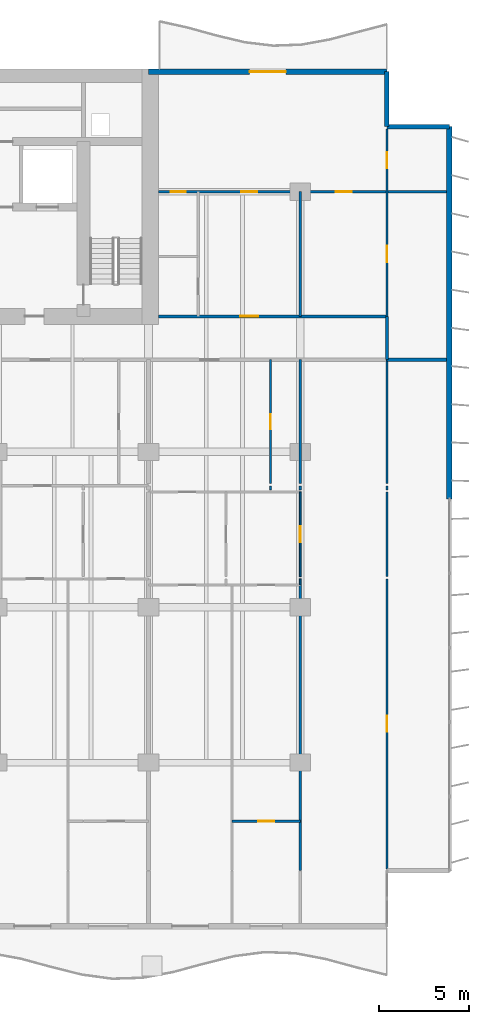
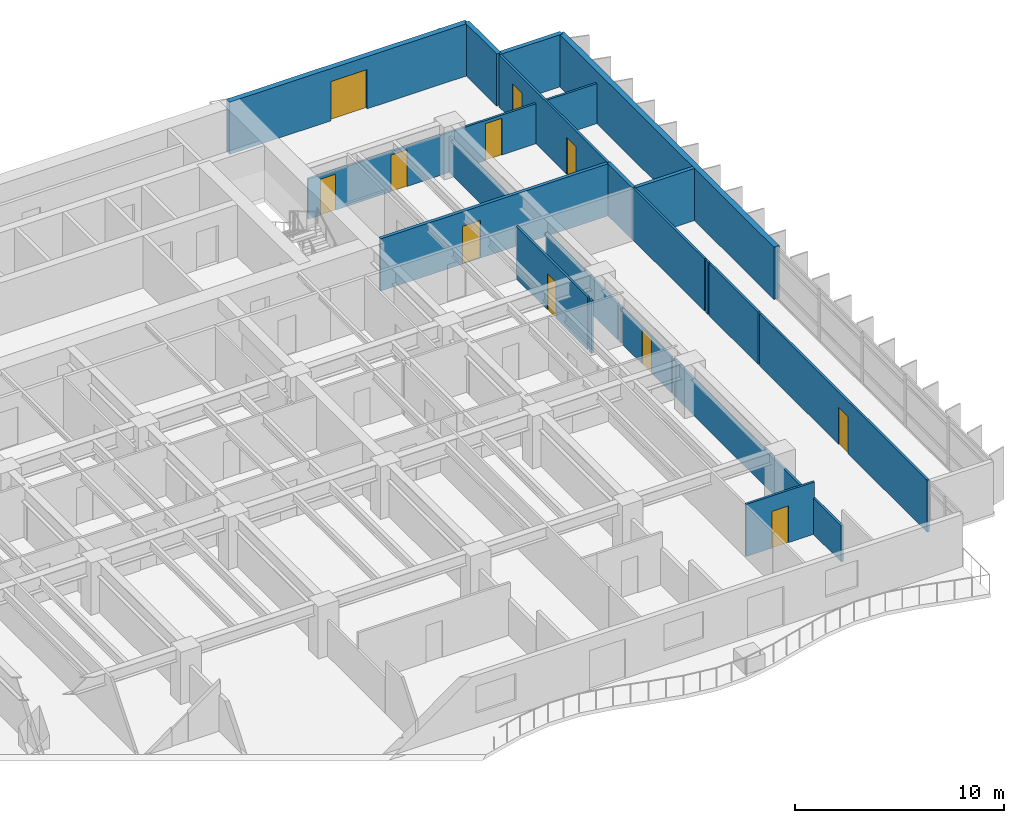
# One storey, part 12 of 17: 22 walls, 11 doors, 11 openings.
"""IFC4 building model written with IfcOpenShell, lengths in metres."""

from ifc_helpers import new_model, si_unit, direction, frame, frame_2d, origin, place, context, subcontext, project, spatial, rectangle, extrude, material, layer, layer_set, type_object, element, fill, save


model = new_model("IFC4")

# Units and contexts
model_context = context("Model", 3, precision=1e-05, world=origin(), true_north=direction((0.0, 1.0)))
body_context = subcontext(model_context, "Body", "Model", "MODEL_VIEW")
ifc_project = project(units=[si_unit("LENGTHUNIT", "METRE"), si_unit("AREAUNIT", "SQUARE_METRE"), si_unit("VOLUMEUNIT", "CUBIC_METRE"), si_unit("PLANEANGLEUNIT", "RADIAN"), si_unit("MASSUNIT", "GRAM", prefix="KILO")], contexts=[model_context])

# Site, building, storey
site_placement = place(None, origin())
site = spatial("IfcSite", under=ifc_project, at=site_placement, CompositionType="ELEMENT")
building_placement = place(site_placement, origin())
building = spatial("IfcBuilding", under=site, at=building_placement, Name="Caelmar Bay Residences", CompositionType="ELEMENT")
storey_placement = place(building_placement, frame((0.0, 0.0, 33.300048828125)))
storey = spatial("IfcBuildingStorey", under=building, at=storey_placement, Name="L07", CompositionType="ELEMENT", Elevation=33.300048828125)

# Wall
ifc_material_1 = material(Name="Double-stud acoustic fire-rated gypsum partition 180 mm")
ifc_layer_1 = layer(ifc_material_1, 0.179931640625)
ifc_layer_set_1 = layer_set([ifc_layer_1], Name="Double-stud acoustic fire-rated gypsum partition 180 mm")
wall_type_1 = type_object("IfcWallType", Name="W-COR-200", PredefinedType="PARTITIONING", material=ifc_layer_set_1)
wall_1_placement = place(storey_placement, frame((72.699951171875, 34.5048828125, 0.0), z_axis=(0.0, 0.0, 1.0), x_axis=(0.0, 1.0, 0.0)))
element("IfcWall", 1, at=wall_1_placement, inside=storey, type_object=wall_type_1, Name="L07 Partition Wall V098", PredefinedType="PARTITIONING", context=body_context, shape_type="SweptSolid", body=[
    extrude(rectangle(XDim=2.39501953125, YDim=0.179931640625, at=frame_2d((1.197509765625, 0.0))), origin(), (0.0, 0.0, 1.0), 3.050048828125),
])

# Wall, opening, door
wall_2_placement = place(storey_placement, frame((60.054931640625, 36.89990234375, 0.0), z_axis=(0.0, 0.0, 1.0), x_axis=(1.0, 0.0, 0.0)))
wall_2 = element("IfcWall", 2, at=wall_2_placement, inside=storey, type_object=wall_type_1, Name="L07 Partition Wall H128", PredefinedType="PARTITIONING", context=body_context, shape_type="SweptSolid", body=[
    extrude(rectangle(XDim=12.64501953125, YDim=0.179931640625, at=frame_2d((6.322509765625, 0.0))), origin(), (0.0, 0.0, 1.0), 3.050048828125),
])
opening_1_placement = place(wall_2_placement, frame((4.52001953125, 0.0, 0.0)))
opening_1 = element("IfcOpeningElement", 3, at=opening_1_placement, cuts=wall_2, Name="Opening D-L07-175", PredefinedType="OPENING", context=body_context, shape_type="SweptSolid", body=[
    extrude(rectangle(XDim=1.0, YDim=2.199951171875, at=frame_2d((0.5, 1.10009765625))), frame((0.0, 0.099853515625, 0.0), z_axis=(0.0, -1.0, 0.0), x_axis=(1.0, 0.0, 0.0)), (0.0, 0.0, 1.0), 0.199951171875),
])
ifc_material_2 = material(Name="Fire-rated steel and walnut architectural door assembly", Category="steel")
ifc_layer_2 = layer(ifc_material_2, 0.050048828125)
ifc_layer_set_2 = layer_set([ifc_layer_2], Name="Fire-rated steel and walnut architectural door assembly")
door_type_1 = type_object("IfcDoorType", Name="D-UNIT-1000", OperationType="NOTDEFINED", PredefinedType="DOOR", material=ifc_layer_set_2)
door_1_placement = place(opening_1_placement, origin())
door_1 = element("IfcDoor", 4, at=door_1_placement, inside=storey, type_object=door_type_1, Name="L07 Residence EA Kitchen Door", OperationType="SINGLE_SWING_RIGHT", OverallHeight=2.199951171875, OverallWidth=1.0, PredefinedType="DOOR", context=body_context, shape_type="SweptSolid", body=[
    extrude(rectangle(XDim=1.0, YDim=2.199951171875, at=frame_2d((0.5, 1.10009765625))), frame((0.0, 0.02490234375, 0.0), z_axis=(0.0, -1.0, 0.0), x_axis=(1.0, 0.0, 0.0)), (0.0, 0.0, 1.0), 0.050048828125),
])
fill(opening_1, door_1)

# Walls
ifc_material_3 = material(Name="Precast concrete f'c 40 MPa (6,000 psi)", Category="concrete")
ifc_layer_3 = layer(ifc_material_3, 0.25)
ifc_layer_set_3 = layer_set([ifc_layer_3], Name="Precast concrete f'c 40 MPa (6,000 psi)")
wall_type_2 = type_object("IfcWallType", Name="W-EXT-250", PredefinedType="ELEMENTEDWALL", material=ifc_layer_set_3)
wall_3_placement = place(storey_placement, frame((72.699951171875, 50.449951171875, 0.0), z_axis=(0.0, 0.0, 1.0), x_axis=(0.0, -1.0, 0.0)))
element("IfcWall", 5, at=wall_3_placement, inside=storey, type_object=wall_type_2, Name="L07 NNE-V Notch Wall", PredefinedType="ELEMENTEDWALL", context=body_context, shape_type="SweptSolid", body=[
    extrude(rectangle(XDim=3.050048828125, YDim=0.25, at=frame_2d((1.52490234375, 0.0))), origin(), (0.0, 0.0, 1.0), 3.050048828125),
])
wall_4_placement = place(storey_placement, frame((72.699951171875, 47.39990234375, 0.0), z_axis=(0.0, 0.0, 1.0), x_axis=(1.0, 0.0, 0.0)))
element("IfcWall", 6, at=wall_4_placement, inside=storey, type_object=wall_type_2, Name="L07 NNE-H Notch Wall", PredefinedType="ELEMENTEDWALL", context=body_context, shape_type="SweptSolid", body=[
    extrude(rectangle(XDim=3.449951171875, YDim=0.25, at=frame_2d((1.72509765625, 0.0))), origin(), (0.0, 0.0, 1.0), 3.050048828125),
])
ifc_layer_4 = layer(ifc_material_3, 0.300048828125)
ifc_layer_set_4 = layer_set([ifc_layer_4], Name="Precast concrete f'c 40 MPa (6,000 psi)")
wall_type_3 = type_object("IfcWallType", Name="W-EXT-300", PredefinedType="STANDARD", material=ifc_layer_set_4)
wall_5_placement = place(storey_placement, frame((76.14990234375, 47.39990234375, 0.0), z_axis=(0.0, 0.0, 1.0), x_axis=(0.0, -1.0, 0.0)))
element("IfcWall", 7, at=wall_5_placement, inside=storey, type_object=wall_type_3, Name="L07 East Rear Exterior Wall", PredefinedType="STANDARD", context=body_context, shape_type="SweptSolid", body=[
    extrude(rectangle(XDim=20.599853515625, YDim=0.300048828125, at=frame_2d((10.2998046875, 0.0))), origin(), (0.0, 0.0, 1.0), 3.050048828125),
])

# Wall, opening, door
wall_6_placement = place(storey_placement, frame((59.5, 50.449951171875, 0.0), z_axis=(0.0, 0.0, 1.0), x_axis=(1.0, 0.0, 0.0)))
wall_6 = element("IfcWall", 8, at=wall_6_placement, inside=storey, type_object=wall_type_3, Name="L07 North-East Wing Exterior Wall", PredefinedType="STANDARD", context=body_context, shape_type="SweptSolid", body=[
    extrude(rectangle(XDim=13.199951171875, YDim=0.300048828125, at=frame_2d((6.60009765625, 0.0))), origin(), (0.0, 0.0, 1.0), 3.050048828125),
])
opening_2_placement = place(wall_6_placement, frame((5.60009765625, 0.0, 0.0)))
opening_2 = element("IfcOpeningElement", 9, at=opening_2_placement, cuts=wall_6, Name="Opening L07-BDNE", PredefinedType="OPENING", context=body_context, shape_type="SweptSolid", body=[
    extrude(rectangle(XDim=2.0, YDim=2.300048828125, at=frame_2d((1.0, 1.14990234375))), frame((0.0, 0.159912109375, 0.0), z_axis=(0.0, -1.0, 0.0), x_axis=(1.0, 0.0, 0.0)), (0.0, 0.0, 1.0), 0.320068359375),
])
ifc_material_4 = material(Name="Anodised bronze thermally broken sliding glass door", Category="glass")
ifc_layer_5 = layer(ifc_material_4, 0.050048828125)
ifc_layer_set_5 = layer_set([ifc_layer_5], Name="Anodised bronze thermally broken sliding glass door")
door_type_2 = type_object("IfcDoorType", Name="D-BAL-2000", OperationType="DOUBLE_DOOR_SLIDING", PredefinedType="DOOR", material=ifc_layer_set_5)
door_2_placement = place(opening_2_placement, origin())
door_2 = element("IfcDoor", 10, at=door_2_placement, inside=storey, type_object=door_type_2, Name="L07 North-East Balcony Door", OperationType="DOUBLE_DOOR_SLIDING", OverallHeight=2.300048828125, OverallWidth=2.0, PredefinedType="DOOR", context=body_context, shape_type="SweptSolid", body=[
    extrude(rectangle(XDim=2.0, YDim=2.300048828125, at=frame_2d((1.0, 1.14990234375))), frame((0.0, 0.02490234375, 0.0), z_axis=(0.0, -1.0, 0.0), x_axis=(1.0, 0.0, 0.0)), (0.0, 0.0, 1.0), 0.050048828125),
])
fill(opening_2, door_2)

# Wall
ifc_material_5 = material(Name="Anodised bronze framed acoustic sliding study partition 100 mm")
ifc_layer_6 = layer(ifc_material_5, 0.10009765625)
ifc_layer_set_6 = layer_set([ifc_layer_6], Name="Anodised bronze framed acoustic sliding study partition 100 mm")
wall_type_4 = type_object("IfcWallType", Name="W-MOV-100", PredefinedType="MOVABLE", material=ifc_layer_set_6)
wall_7_placement = place(storey_placement, frame((67.89990234375, 22.034912109375, 0.0), z_axis=(0.0, 0.0, 1.0), x_axis=(0.0, 1.0, 0.0)))
element("IfcWall", 11, at=wall_7_placement, inside=storey, type_object=wall_type_4, Name="L07 Partition Wall V089", PredefinedType="MOVABLE", context=body_context, shape_type="SweptSolid", body=[
    extrude(rectangle(XDim=0.335205078125, YDim=0.10009765625, at=frame_2d((0.16748046875, 0.0))), origin(), (0.0, 0.0, 1.0), 2.10986328125),
])

# Wall, opening, door
wall_8_placement = place(storey_placement, frame((67.89990234375, 22.489990234375, 0.0), z_axis=(0.0, 0.0, 1.0), x_axis=(0.0, 1.0, 0.0)))
wall_8 = element("IfcWall", 12, at=wall_8_placement, inside=storey, type_object=wall_type_4, Name="L07 Partition Wall V090", PredefinedType="MOVABLE", context=body_context, shape_type="SweptSolid", body=[
    extrude(rectangle(XDim=4.68994140625, YDim=0.10009765625, at=frame_2d((2.344970703125, 0.0))), origin(), (0.0, 0.0, 1.0), 2.10986328125),
])
opening_3_placement = place(wall_8_placement, frame((1.89501953125, 0.0, 0.0)))
opening_3 = element("IfcOpeningElement", 13, at=opening_3_placement, cuts=wall_8, Name="Opening D-L07-164", PredefinedType="OPENING", context=body_context, shape_type="SweptSolid", body=[
    extrude(rectangle(XDim=0.89990234375, YDim=2.06005859375, at=frame_2d((0.449951171875, 1.030029296875))), frame((0.0, 0.06005859375, 0.0), z_axis=(0.0, -1.0, 0.0), x_axis=(1.0, 0.0, 0.0)), (0.0, 0.0, 1.0), 0.1201171875),
])
ifc_material_6 = material(Name="Solid walnut timber interior door leaf and frame", Category="wood")
ifc_layer_7 = layer(ifc_material_6, 0.050048828125)
ifc_layer_set_7 = layer_set([ifc_layer_7], Name="Solid walnut timber interior door leaf and frame")
door_type_3 = type_object("IfcDoorType", Name="D-ROOM-900", OperationType="NOTDEFINED", PredefinedType="DOOR", material=ifc_layer_set_7)
door_3_placement = place(opening_3_placement, origin())
door_3 = element("IfcDoor", 14, at=door_3_placement, inside=storey, type_object=door_type_3, Name="L07 Residence 06 East Apartment Hall Door", OperationType="SINGLE_SWING_LEFT", OverallHeight=2.06005859375, OverallWidth=0.89990234375, PredefinedType="DOOR", context=body_context, shape_type="SweptSolid", body=[
    extrude(rectangle(XDim=0.89990234375, YDim=2.06005859375, at=frame_2d((0.449951171875, 1.030029296875))), frame((0.0, 0.02490234375, 0.0), z_axis=(0.0, -1.0, 0.0), x_axis=(1.0, 0.0, 0.0)), (0.0, 0.0, 1.0), 0.050048828125),
])
fill(opening_3, door_3)

# Wall
ifc_material_7 = material(Name="Acoustic metal-stud gypsum partition 120 mm")
ifc_layer_8 = layer(ifc_material_7, 0.1201171875)
ifc_layer_set_8 = layer_set([ifc_layer_8], Name="Acoustic metal-stud gypsum partition 120 mm")
wall_type_5 = type_object("IfcWallType", Name="W-PRT-120", PredefinedType="PARTITIONING", material=ifc_layer_set_8)
wall_9_placement = place(storey_placement, frame((66.25, 27.280029296875, 0.0), z_axis=(0.0, 0.0, 1.0), x_axis=(0.0, 1.0, 0.0)))
element("IfcWall", 15, at=wall_9_placement, inside=storey, type_object=wall_type_5, Name="L07 Partition Wall V085", PredefinedType="PARTITIONING", context=body_context, shape_type="SweptSolid", body=[
    extrude(rectangle(XDim=0.239990234375, YDim=0.1201171875, at=frame_2d((0.1201171875, 0.0))), origin(), (0.0, 0.0, 1.0), 3.050048828125),
])

# Wall, opening, door
wall_10_placement = place(storey_placement, frame((66.25, 27.639892578125, 0.0), z_axis=(0.0, 0.0, 1.0), x_axis=(0.0, 1.0, 0.0)))
wall_10 = element("IfcWall", 16, at=wall_10_placement, inside=storey, type_object=wall_type_5, Name="L07 Partition Wall V086", PredefinedType="PARTITIONING", context=body_context, shape_type="SweptSolid", body=[
    extrude(rectangle(XDim=6.860107421875, YDim=0.1201171875, at=frame_2d((3.43017578125, 0.0))), origin(), (0.0, 0.0, 1.0), 3.050048828125),
])
opening_4_placement = place(wall_10_placement, frame((3.0048828125, 0.0, 0.0)))
opening_4 = element("IfcOpeningElement", 17, at=opening_4_placement, cuts=wall_10, Name="Opening D-L07-158", PredefinedType="OPENING", context=body_context, shape_type="SweptSolid", body=[
    extrude(rectangle(XDim=0.85009765625, YDim=2.10009765625, at=frame_2d((0.425048828125, 1.050048828125))), frame((0.0, 0.070068359375, 0.0), z_axis=(0.0, -1.0, 0.0), x_axis=(1.0, 0.0, 0.0)), (0.0, 0.0, 1.0), 0.14013671875),
])
ifc_layer_9 = layer(ifc_material_6, 0.050048828125)
ifc_layer_set_9 = layer_set([ifc_layer_9], Name="Solid walnut timber interior door leaf and frame")
door_type_4 = type_object("IfcDoorType", Name="D-BATH-850", OperationType="NOTDEFINED", PredefinedType="DOOR", material=ifc_layer_set_9)
door_4_placement = place(opening_4_placement, origin())
door_4 = element("IfcDoor", 18, at=door_4_placement, inside=storey, type_object=door_type_4, Name="L07 Residence 06 Bathroom Door", OperationType="SINGLE_SWING_LEFT", OverallHeight=2.10009765625, OverallWidth=0.85009765625, PredefinedType="DOOR", context=body_context, shape_type="SweptSolid", body=[
    extrude(rectangle(XDim=0.85009765625, YDim=2.10009765625, at=frame_2d((0.425048828125, 1.050048828125))), frame((0.0, 0.02490234375, 0.0), z_axis=(0.0, -1.0, 0.0), x_axis=(1.0, 0.0, 0.0)), (0.0, 0.0, 1.0), 0.050048828125),
])
fill(opening_4, door_4)

# Walls
wall_11_placement = place(storey_placement, frame((67.89990234375, 6.239990234375, 0.0), z_axis=(0.0, 0.0, 1.0), x_axis=(0.0, 1.0, 0.0)))
element("IfcWall", 19, at=wall_11_placement, inside=storey, type_object=wall_type_5, Name="L07 Partition Wall V088", PredefinedType="PARTITIONING", context=body_context, shape_type="SweptSolid", body=[
    extrude(rectangle(XDim=15.7900390625, YDim=0.1201171875, at=frame_2d((7.89501953125, 0.0))), origin(), (0.0, 0.0, 1.0), 2.10986328125),
])
wall_12_placement = place(storey_placement, frame((67.89990234375, 27.280029296875, 0.0), z_axis=(0.0, 0.0, 1.0), x_axis=(0.0, 1.0, 0.0)))
element("IfcWall", 20, at=wall_12_placement, inside=storey, type_object=wall_type_5, Name="L07 Partition Wall V091", PredefinedType="PARTITIONING", context=body_context, shape_type="SweptSolid", body=[
    extrude(rectangle(XDim=0.239990234375, YDim=0.1201171875, at=frame_2d((0.1201171875, 0.0))), origin(), (0.0, 0.0, 1.0), 2.10986328125),
])
wall_13_placement = place(storey_placement, frame((67.89990234375, 27.639892578125, 0.0), z_axis=(0.0, 0.0, 1.0), x_axis=(0.0, 1.0, 0.0)))
element("IfcWall", 21, at=wall_13_placement, inside=storey, type_object=wall_type_5, Name="L07 Partition Wall V092", PredefinedType="PARTITIONING", context=body_context, shape_type="SweptSolid", body=[
    extrude(rectangle(XDim=6.860107421875, YDim=0.1201171875, at=frame_2d((3.43017578125, 0.0))), origin(), (0.0, 0.0, 1.0), 2.10986328125),
])
wall_14_placement = place(storey_placement, frame((67.89990234375, 36.89990234375, 0.0), z_axis=(0.0, 0.0, 1.0), x_axis=(0.0, 1.0, 0.0)))
element("IfcWall", 22, at=wall_14_placement, inside=storey, type_object=wall_type_5, Name="L07 Partition Wall V093", PredefinedType="PARTITIONING", context=body_context, shape_type="SweptSolid", body=[
    extrude(rectangle(XDim=6.900146484375, YDim=0.1201171875, at=frame_2d((3.4501953125, 0.0))), origin(), (0.0, 0.0, 1.0), 2.10986328125),
])

# Wall, opening, door
wall_15_placement = place(storey_placement, frame((72.699951171875, 6.320068359375, 0.0), z_axis=(0.0, 0.0, 1.0), x_axis=(0.0, 1.0, 0.0)))
wall_15 = element("IfcWall", 23, at=wall_15_placement, inside=storey, type_object=wall_type_5, Name="L07 Partition Wall V094", PredefinedType="PARTITIONING", context=body_context, shape_type="SweptSolid", body=[
    extrude(rectangle(XDim=16.050048828125, YDim=0.1201171875, at=frame_2d((8.02490234375, 0.0))), origin(), (0.0, 0.0, 1.0), 3.050048828125),
])
opening_5_placement = place(wall_15_placement, frame((7.574951171875, 0.0, 0.0)))
opening_5 = element("IfcOpeningElement", 24, at=opening_5_placement, cuts=wall_15, Name="Opening D-L07-166", PredefinedType="OPENING", context=body_context, shape_type="SweptSolid", body=[
    extrude(rectangle(XDim=0.89990234375, YDim=2.14990234375, at=frame_2d((0.449951171875, 1.074951171875))), frame((0.0, 0.070068359375, 0.0), z_axis=(0.0, -1.0, 0.0), x_axis=(1.0, 0.0, 0.0)), (0.0, 0.0, 1.0), 0.14013671875),
])
door_5_placement = place(opening_5_placement, origin())
door_5 = element("IfcDoor", 25, at=door_5_placement, inside=storey, type_object=door_type_3, Name="L07 Residence 06 Penthouse East Salon Door", OperationType="SINGLE_SWING_LEFT", OverallHeight=2.14990234375, OverallWidth=0.89990234375, PredefinedType="DOOR", context=body_context, shape_type="SweptSolid", body=[
    extrude(rectangle(XDim=0.89990234375, YDim=2.14990234375, at=frame_2d((0.449951171875, 1.074951171875))), frame((0.0, 0.02490234375, 0.0), z_axis=(0.0, -1.0, 0.0), x_axis=(1.0, 0.0, 0.0)), (0.0, 0.0, 1.0), 0.050048828125),
])
fill(opening_5, door_5)

# Walls
wall_16_placement = place(storey_placement, frame((72.699951171875, 22.489990234375, 0.0), z_axis=(0.0, 0.0, 1.0), x_axis=(0.0, 1.0, 0.0)))
element("IfcWall", 26, at=wall_16_placement, inside=storey, type_object=wall_type_5, Name="L07 Partition Wall V095", PredefinedType="PARTITIONING", context=body_context, shape_type="SweptSolid", body=[
    extrude(rectangle(XDim=4.68994140625, YDim=0.1201171875, at=frame_2d((2.344970703125, 0.0))), origin(), (0.0, 0.0, 1.0), 3.050048828125),
])
wall_17_placement = place(storey_placement, frame((72.699951171875, 27.280029296875, 0.0), z_axis=(0.0, 0.0, 1.0), x_axis=(0.0, 1.0, 0.0)))
element("IfcWall", 27, at=wall_17_placement, inside=storey, type_object=wall_type_5, Name="L07 Partition Wall V096", PredefinedType="PARTITIONING", context=body_context, shape_type="SweptSolid", body=[
    extrude(rectangle(XDim=0.239990234375, YDim=0.1201171875, at=frame_2d((0.1201171875, 0.0))), origin(), (0.0, 0.0, 1.0), 3.050048828125),
])
wall_18_placement = place(storey_placement, frame((72.699951171875, 27.639892578125, 0.0), z_axis=(0.0, 0.0, 1.0), x_axis=(0.0, 1.0, 0.0)))
element("IfcWall", 28, at=wall_18_placement, inside=storey, type_object=wall_type_5, Name="L07 Partition Wall V097", PredefinedType="PARTITIONING", context=body_context, shape_type="SweptSolid", body=[
    extrude(rectangle(XDim=6.860107421875, YDim=0.1201171875, at=frame_2d((3.43017578125, 0.0))), origin(), (0.0, 0.0, 1.0), 3.050048828125),
])

# Wall, openings, doors
wall_19_placement = place(storey_placement, frame((72.699951171875, 36.905029296875, 0.0), z_axis=(0.0, 0.0, 1.0), x_axis=(0.0, 1.0, 0.0)))
wall_19 = element("IfcWall", 29, at=wall_19_placement, inside=storey, type_object=wall_type_5, Name="L07 Partition Wall V099", PredefinedType="PARTITIONING", context=body_context, shape_type="SweptSolid", body=[
    extrude(rectangle(XDim=10.375, YDim=0.1201171875, at=frame_2d((5.1875, 0.0))), origin(), (0.0, 0.0, 1.0), 3.050048828125),
])
opening_6_placement = place(wall_19_placement, frame((2.99755859375, 0.0, 0.0)))
opening_6 = element("IfcOpeningElement", 30, at=opening_6_placement, cuts=wall_19, Name="Opening D-L07-179", PredefinedType="OPENING", context=body_context, shape_type="SweptSolid", body=[
    extrude(rectangle(XDim=0.89990234375, YDim=2.14990234375, at=frame_2d((0.449951171875, 1.074951171875))), frame((0.0, 0.070068359375, 0.0), z_axis=(0.0, -1.0, 0.0), x_axis=(1.0, 0.0, 0.0)), (0.0, 0.0, 1.0), 0.14013671875),
])
opening_7_placement = place(wall_19_placement, frame((8.18505859375, 0.0, 0.0)))
opening_7 = element("IfcOpeningElement", 31, at=opening_7_placement, cuts=wall_19, Name="Opening D-L07-180", PredefinedType="OPENING", context=body_context, shape_type="SweptSolid", body=[
    extrude(rectangle(XDim=0.89990234375, YDim=2.14990234375, at=frame_2d((0.449951171875, 1.074951171875))), frame((0.0, 0.070068359375, 0.0), z_axis=(0.0, -1.0, 0.0), x_axis=(1.0, 0.0, 0.0)), (0.0, 0.0, 1.0), 0.14013671875),
])
door_6_placement = place(opening_6_placement, origin())
door_6 = element("IfcDoor", 32, at=door_6_placement, inside=storey, type_object=door_type_3, Name="L07 Residence EA Sun Study Door", OperationType="SINGLE_SWING_RIGHT", OverallHeight=2.14990234375, OverallWidth=0.89990234375, PredefinedType="DOOR", context=body_context, shape_type="SweptSolid", body=[
    extrude(rectangle(XDim=0.89990234375, YDim=2.14990234375, at=frame_2d((0.449951171875, 1.074951171875))), frame((0.0, 0.02490234375, 0.0), z_axis=(0.0, -1.0, 0.0), x_axis=(1.0, 0.0, 0.0)), (0.0, 0.0, 1.0), 0.050048828125),
])
fill(opening_6, door_6)
door_7_placement = place(opening_7_placement, origin())
door_7 = element("IfcDoor", 33, at=door_7_placement, inside=storey, type_object=door_type_3, Name="L07 Residence EA North Sitting Alcove Door", OperationType="SINGLE_SWING_LEFT", OverallHeight=2.14990234375, OverallWidth=0.89990234375, PredefinedType="DOOR", context=body_context, shape_type="SweptSolid", body=[
    extrude(rectangle(XDim=0.89990234375, YDim=2.14990234375, at=frame_2d((0.449951171875, 1.074951171875))), frame((0.0, 0.02490234375, 0.0), z_axis=(0.0, -1.0, 0.0), x_axis=(1.0, 0.0, 0.0)), (0.0, 0.0, 1.0), 0.050048828125),
])
fill(opening_7, door_7)

# Wall, opening, door
wall_20_placement = place(storey_placement, frame((64.1201171875, 8.949951171875, 0.0), z_axis=(0.0, 0.0, 1.0), x_axis=(1.0, 0.0, 0.0)))
wall_20 = element("IfcWall", 34, at=wall_20_placement, inside=storey, type_object=wall_type_5, Name="L07 Partition Wall H106", PredefinedType="PARTITIONING", context=body_context, shape_type="SweptSolid", body=[
    extrude(rectangle(XDim=3.77978515625, YDim=0.1201171875, at=frame_2d((1.889892578125, 0.0))), origin(), (0.0, 0.0, 1.0), 3.050048828125),
])
opening_8_placement = place(wall_20_placement, frame((1.43994140625, 0.0, 0.0)))
opening_8 = element("IfcOpeningElement", 35, at=opening_8_placement, cuts=wall_20, Name="Opening D-L07-163", PredefinedType="OPENING", context=body_context, shape_type="SweptSolid", body=[
    extrude(rectangle(XDim=0.89990234375, YDim=2.14990234375, at=frame_2d((0.449951171875, 1.074951171875))), frame((0.0, 0.070068359375, 0.0), z_axis=(0.0, -1.0, 0.0), x_axis=(1.0, 0.0, 0.0)), (0.0, 0.0, 1.0), 0.14013671875),
])
door_8_placement = place(opening_8_placement, origin())
door_8 = element("IfcDoor", 36, at=door_8_placement, inside=storey, type_object=door_type_3, Name="L07 Residence 06 Primary Bedroom Door", OperationType="SINGLE_SWING_RIGHT", OverallHeight=2.14990234375, OverallWidth=0.89990234375, PredefinedType="DOOR", context=body_context, shape_type="SweptSolid", body=[
    extrude(rectangle(XDim=0.89990234375, YDim=2.14990234375, at=frame_2d((0.449951171875, 1.074951171875))), frame((0.0, 0.02490234375, 0.0), z_axis=(0.0, -1.0, 0.0), x_axis=(1.0, 0.0, 0.0)), (0.0, 0.0, 1.0), 0.050048828125),
])
fill(opening_8, door_8)

# Wall, openings, doors
wall_21_placement = place(storey_placement, frame((60.044921875, 43.800048828125, 0.0), z_axis=(0.0, 0.0, 1.0), x_axis=(1.0, 0.0, 0.0)))
wall_21 = element("IfcWall", 37, at=wall_21_placement, inside=storey, type_object=wall_type_5, Name="L07 Partition Wall H132", PredefinedType="PARTITIONING", context=body_context, shape_type="SweptSolid", body=[
    extrude(rectangle(XDim=15.9599609375, YDim=0.1201171875, at=frame_2d((7.97998046875, 0.0))), origin(), (0.0, 0.0, 1.0), 2.3388671875),
])
opening_9_placement = place(wall_21_placement, frame((9.804931640625, 0.0, 0.0)))
opening_9 = element("IfcOpeningElement", 38, at=opening_9_placement, cuts=wall_21, Name="Opening D-L07-174", PredefinedType="OPENING", context=body_context, shape_type="SweptSolid", body=[
    extrude(rectangle(XDim=0.89990234375, YDim=2.14990234375, at=frame_2d((0.449951171875, 1.074951171875))), frame((0.0, 0.070068359375, 0.0), z_axis=(0.0, -1.0, 0.0), x_axis=(1.0, 0.0, 0.0)), (0.0, 0.0, 1.0), 0.14013671875),
])
opening_10_placement = place(wall_21_placement, frame((4.580078125, 0.0, 0.0)))
opening_10 = element("IfcOpeningElement", 39, at=opening_10_placement, cuts=wall_21, Name="Opening D-L07-176", PredefinedType="OPENING", context=body_context, shape_type="SweptSolid", body=[
    extrude(rectangle(XDim=0.89990234375, YDim=2.14990234375, at=frame_2d((0.449951171875, 1.074951171875))), frame((0.0, 0.070068359375, 0.0), z_axis=(0.0, -1.0, 0.0), x_axis=(1.0, 0.0, 0.0)), (0.0, 0.0, 1.0), 0.14013671875),
])
opening_11_placement = place(wall_21_placement, frame((0.677490234375, 0.0, 0.0)))
opening_11 = element("IfcOpeningElement", 40, at=opening_11_placement, cuts=wall_21, Name="Opening D-L07-178", PredefinedType="OPENING", context=body_context, shape_type="SweptSolid", body=[
    extrude(rectangle(XDim=0.85009765625, YDim=2.10009765625, at=frame_2d((0.425048828125, 1.050048828125))), frame((0.0, 0.070068359375, 0.0), z_axis=(0.0, -1.0, 0.0), x_axis=(1.0, 0.0, 0.0)), (0.0, 0.0, 1.0), 0.14013671875),
])
door_9_placement = place(opening_11_placement, origin())
door_9 = element("IfcDoor", 41, at=door_9_placement, inside=storey, type_object=door_type_4, Name="L07 Residence EA Bathroom Door", OperationType="SINGLE_SWING_LEFT", OverallHeight=2.10009765625, OverallWidth=0.85009765625, PredefinedType="DOOR", context=body_context, shape_type="SweptSolid", body=[
    extrude(rectangle(XDim=0.85009765625, YDim=2.10009765625, at=frame_2d((0.425048828125, 1.050048828125))), frame((0.0, 0.02490234375, 0.0), z_axis=(0.0, -1.0, 0.0), x_axis=(1.0, 0.0, 0.0)), (0.0, 0.0, 1.0), 0.050048828125),
])
fill(opening_11, door_9)
door_10_placement = place(opening_9_placement, origin())
door_10 = element("IfcDoor", 42, at=door_10_placement, inside=storey, type_object=door_type_3, Name="L07 Residence EA Study Door", OperationType="SINGLE_SWING_LEFT", OverallHeight=2.14990234375, OverallWidth=0.89990234375, PredefinedType="DOOR", context=body_context, shape_type="SweptSolid", body=[
    extrude(rectangle(XDim=0.89990234375, YDim=2.14990234375, at=frame_2d((0.449951171875, 1.074951171875))), frame((0.0, 0.02490234375, 0.0), z_axis=(0.0, -1.0, 0.0), x_axis=(1.0, 0.0, 0.0)), (0.0, 0.0, 1.0), 0.050048828125),
])
fill(opening_9, door_10)
door_11_placement = place(opening_10_placement, origin())
door_11 = element("IfcDoor", 43, at=door_11_placement, inside=storey, type_object=door_type_3, Name="L07 Residence EA Studio Living and Sleeping Room Door", OperationType="SINGLE_SWING_LEFT", OverallHeight=2.14990234375, OverallWidth=0.89990234375, PredefinedType="DOOR", context=body_context, shape_type="SweptSolid", body=[
    extrude(rectangle(XDim=0.89990234375, YDim=2.14990234375, at=frame_2d((0.449951171875, 1.074951171875))), frame((0.0, 0.02490234375, 0.0), z_axis=(0.0, -1.0, 0.0), x_axis=(1.0, 0.0, 0.0)), (0.0, 0.0, 1.0), 0.050048828125),
])
fill(opening_10, door_11)

# Wall
ifc_material_8 = material(Name="Acoustic twin-stud fire-rated inter-tenancy partition 200 mm")
ifc_layer_10 = layer(ifc_material_8, 0.199951171875)
ifc_layer_set_10 = layer_set([ifc_layer_10], Name="Acoustic twin-stud fire-rated inter-tenancy partition 200 mm")
wall_type_6 = type_object("IfcWallType", Name="W-PTY-200", PredefinedType="PARTITIONING", material=ifc_layer_set_10)
wall_22_placement = place(storey_placement, frame((72.705078125, 34.5, 0.0), z_axis=(0.0, 0.0, 1.0), x_axis=(1.0, 0.0, 0.0)))
element("IfcWall", 44, at=wall_22_placement, inside=storey, type_object=wall_type_6, Name="L07 Partition Wall H126", PredefinedType="PARTITIONING", context=body_context, shape_type="SweptSolid", body=[
    extrude(rectangle(XDim=3.2998046875, YDim=0.199951171875, at=frame_2d((1.64990234375, 0.0))), origin(), (0.0, 0.0, 1.0), 3.050048828125),
])

save(model, "model.ifc")
